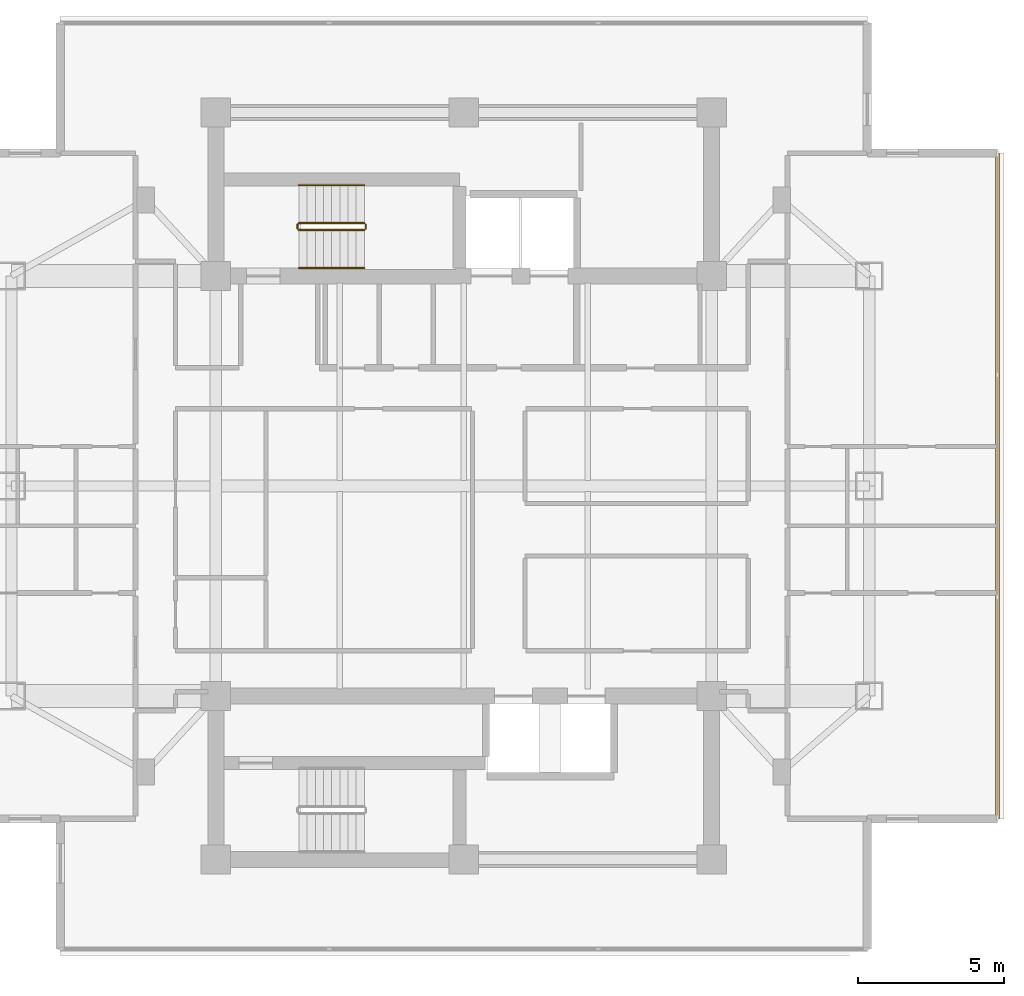
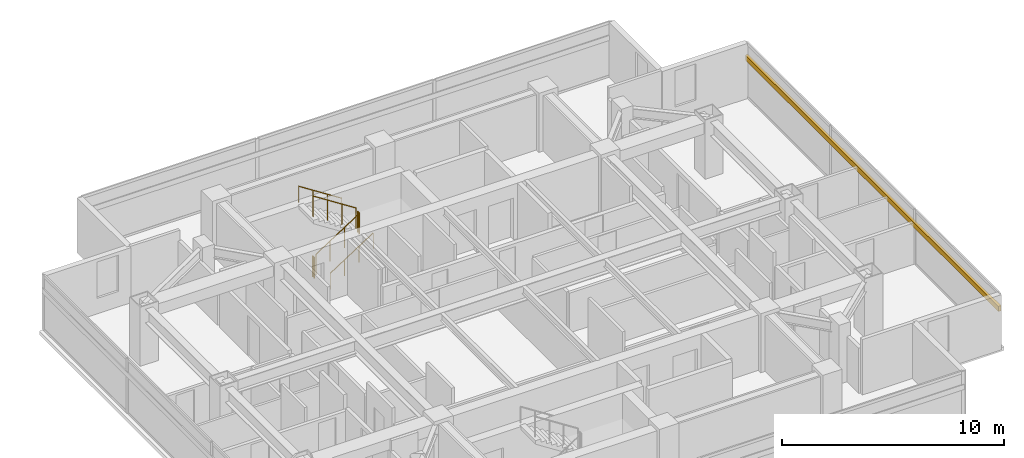
# One storey, part 24 of 25: 6 railings, 1 shading device.
"""IFC4 building model written with IfcOpenShell, lengths in metres."""

from ifc_helpers import new_model, si_unit, direction, frame, origin, origin_2d, place, context, subcontext, project, spatial, rectangle, circle, extrude, material, material_profile, profile_set, type_object, element, save


model = new_model("IFC4")

# Units and contexts
model_context = context("Model", 3, precision=1e-05, world=origin(), true_north=direction((0.0, 1.0)))
body_context = subcontext(model_context, "Body", "Model", "MODEL_VIEW")
ifc_project = project(units=[si_unit("LENGTHUNIT", "METRE"), si_unit("AREAUNIT", "SQUARE_METRE"), si_unit("VOLUMEUNIT", "CUBIC_METRE"), si_unit("PLANEANGLEUNIT", "RADIAN"), si_unit("MASSUNIT", "GRAM", prefix="KILO")], contexts=[model_context])

# Site, building, storey
site_placement = place(None, origin())
site = spatial("IfcSite", under=ifc_project, at=site_placement, CompositionType="ELEMENT")
building_placement = place(site_placement, origin())
building = spatial("IfcBuilding", under=site, at=building_placement, Name="Mirazonda Arch Towers", CompositionType="ELEMENT")
storey_placement = place(building_placement, frame((0.0, 0.0, 177.14990234375)))
storey = spatial("IfcBuildingStorey", under=building, at=storey_placement, Name="L50", CompositionType="ELEMENT", Elevation=177.14990234375)

# Shading device
ifc_material_1 = material(Name="Kiln-Fired Architectural Terracotta", Category="masonry")
ifc_material_profile = material_profile(ifc_material_1, rectangle(XDim=0.139892578125, YDim=0.280029296875, at=origin_2d()), Name="TERRA-BAG-140x280")
ifc_profile_set = profile_set([ifc_material_profile], Name="Kiln-Fired Architectural Terracotta")
shading_device_type = type_object("IfcShadingDeviceType", Name="BAGUETTE-3", PredefinedType="USERDEFINED", material=ifc_profile_set)
shading_device_placement = place(storey_placement, frame((94.798583984375, 16.590576171875, 2.181640625), z_axis=(0.0, 1.0, 0.0), x_axis=(-1.0, 0.0, 0.0)))
element("IfcShadingDevice", 1, at=shading_device_placement, inside=storey, type_object=shading_device_type, Name="L50 Glazed Terracotta Sun-Screen Baguette CW-L50-T2-E", ObjectType="BAGUETTE", PredefinedType="USERDEFINED", context=body_context, shape_type="SweptSolid", body=[
    extrude(rectangle(XDim=0.139892578125, YDim=0.280029296875, at=origin_2d()), origin(), (0.0, 0.0, 1.0), 22.81884765625),
])

# Railings
ifc_material_2 = material(Name="Architectural Brushed Steel S355", Category="steel")
railing_type_1 = type_object("IfcRailingType", Name="GUARD-STAIR-1120", PredefinedType="GUARDRAIL", material=ifc_material_2)
railing_1_placement = place(storey_placement, frame((70.85009765625, 36.77001953125, 0.1806640625)))
element("IfcRailing", 2, at=railing_1_placement, inside=storey, type_object=railing_type_1, Name="L50 ST-T2N stair guard 1", PredefinedType="GUARDRAIL", context=body_context, shape_type="SweptSolid", body=[
    extrude(circle(Radius=0.02392578125, at=origin_2d()), frame((0.0, 0.0, 1.1259765625), z_axis=(0.840436612492, 0.0, 0.541909863706), x_axis=(0.0, 1.0, 0.0)), (0.0, 0.0, 1.0), 2.665283203125),
    extrude(circle(Radius=0.02099609375, at=origin_2d()), origin(), (0.0, 0.0, 1.0), 1.101806640625),
    extrude(circle(Radius=0.02099609375, at=origin_2d()), frame((0.74658203125, 0.0, 0.4814453125)), (0.0, 0.0, 1.0), 1.101806640625),
    extrude(circle(Radius=0.02099609375, at=origin_2d()), frame((1.493408203125, 0.0, 0.962890625)), (0.0, 0.0, 1.0), 1.101806640625),
    extrude(circle(Radius=0.02099609375, at=origin_2d()), frame((2.239990234375, 0.0, 1.4443359375)), (0.0, 0.0, 1.0), 1.101806640625),
])
railing_2_placement = place(storey_placement, frame((73.139892578125, 36.820068359375, 1.625)))
element("IfcRailing", 3, at=railing_2_placement, inside=storey, type_object=railing_type_1, Name="L50 ST-T2N stair guard 2", PredefinedType="GUARDRAIL", context=body_context, shape_type="SweptSolid", body=[
    extrude(circle(Radius=0.02392578125, at=origin_2d()), frame((0.0, 0.0, 1.1259765625), z_axis=(0.0, 1.0, 0.0), x_axis=(-1.0, 0.0, 0.0)), (0.0, 0.0, 1.0), 0.139892578125),
    extrude(circle(Radius=0.02099609375, at=origin_2d()), origin(), (0.0, 0.0, 1.0), 1.101806640625),
    extrude(circle(Radius=0.02099609375, at=origin_2d()), frame((0.0, 0.139892578125, 0.0)), (0.0, 0.0, 1.0), 1.101806640625),
])
railing_3_placement = place(storey_placement, frame((73.090087890625, 37.010009765625, 1.8056640625)))
element("IfcRailing", 4, at=railing_3_placement, inside=storey, type_object=railing_type_1, Name="L50 ST-T2N stair guard 3", PredefinedType="GUARDRAIL", context=body_context, shape_type="SweptSolid", body=[
    extrude(circle(Radius=0.02392578125, at=origin_2d()), frame((0.0, 0.0, 1.1259765625), z_axis=(-0.840436612492, 0.0, 0.541909863706), x_axis=(0.0, -1.0, 0.0)), (0.0, 0.0, 1.0), 2.665283203125),
    extrude(circle(Radius=0.02099609375, at=origin_2d()), origin(), (0.0, 0.0, 1.0), 1.101806640625),
    extrude(circle(Radius=0.02099609375, at=origin_2d()), frame((-0.74658203125, 0.0, 0.4814453125)), (0.0, 0.0, 1.0), 1.101806640625),
    extrude(circle(Radius=0.02099609375, at=origin_2d()), frame((-1.493408203125, 0.0, 0.962890625)), (0.0, 0.0, 1.0), 1.101806640625),
    extrude(circle(Radius=0.02099609375, at=origin_2d()), frame((-2.239990234375, 0.0, 1.4443359375)), (0.0, 0.0, 1.0), 1.101806640625),
])
railing_4_placement = place(storey_placement, frame((70.800048828125, 36.820068359375, 0.0)))
element("IfcRailing", 5, at=railing_4_placement, inside=storey, type_object=railing_type_1, Name="L50 ST-T2N stair guard 4", PredefinedType="GUARDRAIL", context=body_context, shape_type="SweptSolid", body=[
    extrude(circle(Radius=0.02392578125, at=origin_2d()), frame((0.0, 0.0, 1.1259765625), z_axis=(0.0, 1.0, 0.0), x_axis=(-1.0, 0.0, 0.0)), (0.0, 0.0, 1.0), 0.139892578125),
    extrude(circle(Radius=0.02099609375, at=origin_2d()), origin(), (0.0, 0.0, 1.0), 1.101806640625),
    extrude(circle(Radius=0.02099609375, at=origin_2d()), frame((0.0, 0.139892578125, 0.0)), (0.0, 0.0, 1.0), 1.101806640625),
])
railing_type_2 = type_object("IfcRailingType", Name="HANDRAIL-915", PredefinedType="HANDRAIL", material=ifc_material_2)
railing_5_placement = place(storey_placement, frame((70.85009765625, 35.469970703125, 0.1806640625)))
element("IfcRailing", 6, at=railing_5_placement, inside=storey, type_object=railing_type_2, Name="L50 ST-T2N stair handrail 1", PredefinedType="HANDRAIL", context=body_context, shape_type="SweptSolid", body=[
    extrude(circle(Radius=0.02392578125, at=origin_2d()), frame((0.0, 0.0, 0.8759765625), z_axis=(0.840436612492, 0.0, 0.541909863706), x_axis=(0.0, 1.0, 0.0)), (0.0, 0.0, 1.0), 2.665283203125),
    extrude(circle(Radius=0.02099609375, at=origin_2d()), origin(), (0.0, 0.0, 1.0), 0.851806640625),
    extrude(circle(Radius=0.02099609375, at=origin_2d()), frame((0.74658203125, 0.0, 0.4814453125)), (0.0, 0.0, 1.0), 0.851806640625),
    extrude(circle(Radius=0.02099609375, at=origin_2d()), frame((1.493408203125, 0.0, 0.962890625)), (0.0, 0.0, 1.0), 0.851806640625),
    extrude(circle(Radius=0.02099609375, at=origin_2d()), frame((2.239990234375, 0.0, 1.4443359375)), (0.0, 0.0, 1.0), 0.851806640625),
])
railing_6_placement = place(storey_placement, frame((73.090087890625, 38.31005859375, 1.8056640625)))
element("IfcRailing", 7, at=railing_6_placement, inside=storey, type_object=railing_type_2, Name="L50 ST-T2N stair handrail 2", PredefinedType="HANDRAIL", context=body_context, shape_type="SweptSolid", body=[
    extrude(circle(Radius=0.02392578125, at=origin_2d()), frame((0.0, 0.0, 0.8759765625), z_axis=(-0.840436612492, 0.0, 0.541909863706), x_axis=(0.0, -1.0, 0.0)), (0.0, 0.0, 1.0), 2.665283203125),
    extrude(circle(Radius=0.02099609375, at=origin_2d()), origin(), (0.0, 0.0, 1.0), 0.851806640625),
    extrude(circle(Radius=0.02099609375, at=origin_2d()), frame((-0.74658203125, 0.0, 0.4814453125)), (0.0, 0.0, 1.0), 0.851806640625),
    extrude(circle(Radius=0.02099609375, at=origin_2d()), frame((-1.493408203125, 0.0, 0.962890625)), (0.0, 0.0, 1.0), 0.851806640625),
    extrude(circle(Radius=0.02099609375, at=origin_2d()), frame((-2.239990234375, 0.0, 1.4443359375)), (0.0, 0.0, 1.0), 0.851806640625),
])

save(model, "model.ifc")
